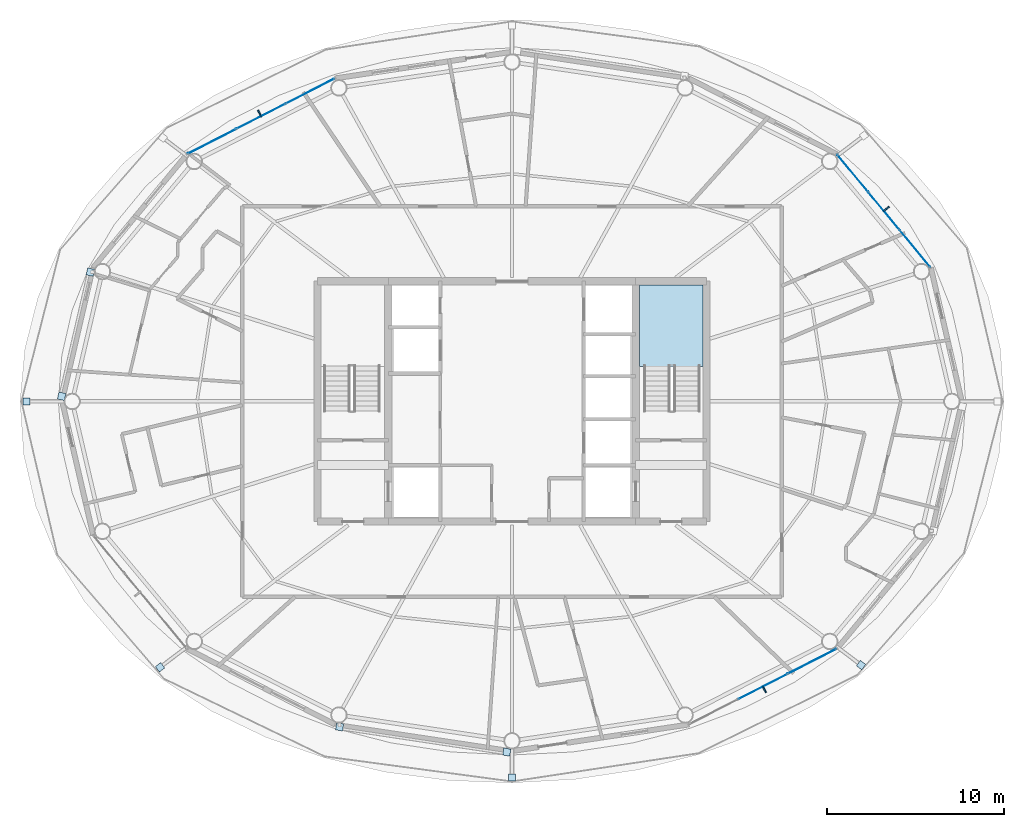
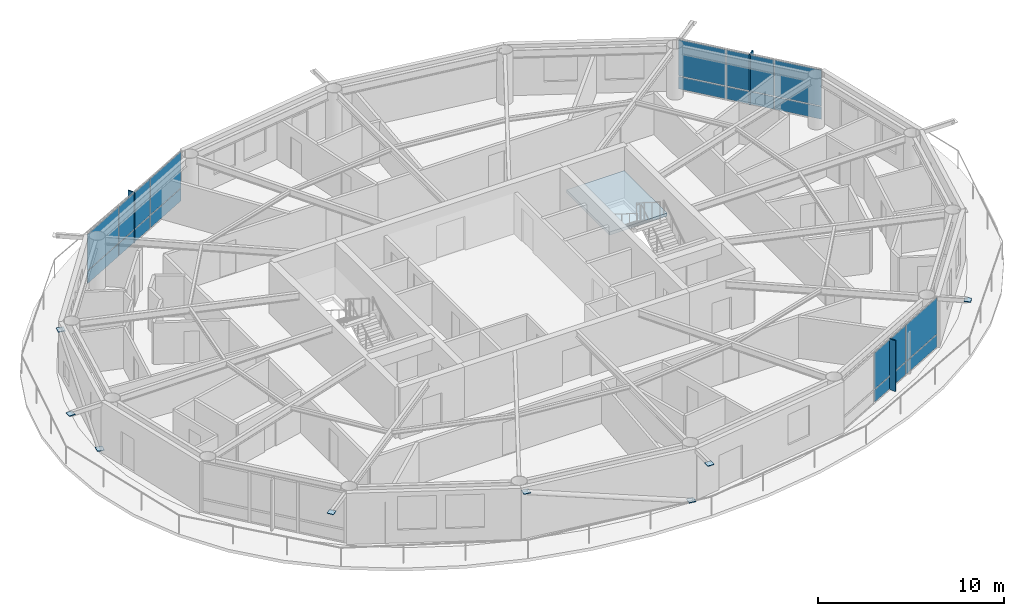
# One storey, part 14 of 22: 27 plates, 1 slab, 4 elements without a shape of their own.
"""IFC4 building model written with IfcOpenShell, lengths in metres."""

from ifc_helpers import new_model, si_unit, direction, frame, origin, origin_2d, place, context, subcontext, project, spatial, polyline, rectangle, outline, extrude, material, layer, layer_set, type_object, element, aggregate, save


model = new_model("IFC4")

# Units and contexts
model_context = context("Model", 3, precision=1e-05, world=origin(), true_north=direction((0.0, 1.0)))
body_context = subcontext(model_context, "Body", "Model", "MODEL_VIEW")
ifc_project = project(units=[si_unit("LENGTHUNIT", "METRE"), si_unit("AREAUNIT", "SQUARE_METRE"), si_unit("VOLUMEUNIT", "CUBIC_METRE"), si_unit("PLANEANGLEUNIT", "RADIAN"), si_unit("MASSUNIT", "GRAM", prefix="KILO")], contexts=[model_context])

# Site, building, storey
site_placement = place(None, origin())
site = spatial("IfcSite", under=ifc_project, at=site_placement, CompositionType="ELEMENT")
building_placement = place(site_placement, origin())
building = spatial("IfcBuilding", under=site, at=building_placement, Name="Sarneth Arch Tower", CompositionType="ELEMENT")
storey_placement = place(building_placement, frame((0.0, 0.0, 210.0)))
storey = spatial("IfcBuildingStorey", under=building, at=storey_placement, Name="L53", CompositionType="ELEMENT", Elevation=210.0)

# Curtain wall, plates
ifc_material_1 = material(Name="Anodised aluminium Type AA25 and solar-control low-e laminated IGU", Category="aluminium")
ifc_layer_1 = layer(ifc_material_1, 0.179931640625)
ifc_layer_set_1 = layer_set([ifc_layer_1], Name="Anodised aluminium Type AA25 and solar-control low-e laminated IGU")
curtain_wall_type = type_object("IfcCurtainWallType", Name="CW-RES-HIGH", PredefinedType="NOTDEFINED", material=ifc_layer_set_1)
curtain_wall_1_placement = place(storey_placement, origin())
curtain_wall_1 = element("IfcCurtainWall", 1, at=curtain_wall_1_placement, inside=storey, type_object=curtain_wall_type, Name="L53 Unitised curtain wall facet 02", PredefinedType="NOTDEFINED")
ifc_material_2 = material(Name="Solar-control low-e laminated IGU", Category="glass")
ifc_layer_2 = layer(ifc_material_2, 0.028076171875)
ifc_layer_set_2 = layer_set([ifc_layer_2], Name="Solar-control low-e laminated IGU")
plate_type_1 = type_object("IfcPlateType", Name="CW-PANEL", PredefinedType="CURTAIN_PANEL", material=ifc_layer_set_2)
plate_1_placement = place(storey_placement, frame((70.799072265625, 50.650634765625, 0.06005859375), z_axis=(0.0, 0.0, 1.0), x_axis=(-0.637610094184, 0.770359245933, 0.0)))
plate_1 = element("IfcPlate", 2, at=plate_1_placement, type_object=plate_type_1, Name="Curtain wall glazed vision pane CW-L53-F02/P00-00", PredefinedType="CURTAIN_PANEL", context=body_context, shape_type="SweptSolid", body=[
    extrude(rectangle(XDim=2.686767578125, YDim=0.028076171875, at=origin_2d()), origin(), (0.0, 0.0, 1.0), 0.81005859375),
])
plate_2_placement = place(storey_placement, frame((70.799072265625, 50.650634765625, 0.929931640625), z_axis=(0.0, 0.0, 1.0), x_axis=(-0.637610094184, 0.770359245933, 0.0)))
plate_2 = element("IfcPlate", 3, at=plate_2_placement, type_object=plate_type_1, Name="Curtain wall glazed vision pane CW-L53-F02/P00-01", PredefinedType="CURTAIN_PANEL", context=body_context, shape_type="SweptSolid", body=[
    extrude(rectangle(XDim=2.686767578125, YDim=0.028076171875, at=origin_2d()), origin(), (0.0, 0.0, 1.0), 2.3701171875),
])
plate_3_placement = place(storey_placement, frame((69.0380859375, 52.778076171875, 0.06005859375), z_axis=(0.0, 0.0, 1.0), x_axis=(-0.637610094184, 0.770359245933, 0.0)))
plate_3 = element("IfcPlate", 4, at=plate_3_placement, type_object=plate_type_1, Name="Curtain wall glazed vision pane CW-L53-F02/P01-00", PredefinedType="CURTAIN_PANEL", context=body_context, shape_type="SweptSolid", body=[
    extrude(rectangle(XDim=2.716552734375, YDim=0.028076171875, at=origin_2d()), origin(), (0.0, 0.0, 1.0), 0.81005859375),
])
plate_4_placement = place(storey_placement, frame((69.0380859375, 52.778076171875, 0.929931640625), z_axis=(0.0, 0.0, 1.0), x_axis=(-0.637610094184, 0.770359245933, 0.0)))
plate_4 = element("IfcPlate", 5, at=plate_4_placement, type_object=plate_type_1, Name="Curtain wall glazed vision pane CW-L53-F02/P01-01", PredefinedType="CURTAIN_PANEL", context=body_context, shape_type="SweptSolid", body=[
    extrude(rectangle(XDim=2.716552734375, YDim=0.028076171875, at=origin_2d()), origin(), (0.0, 0.0, 1.0), 2.3701171875),
])
plate_5_placement = place(storey_placement, frame((67.27734375, 54.905517578125, 0.06005859375), z_axis=(0.0, 0.0, 1.0), x_axis=(-0.637610094184, 0.770359245933, 0.0)))
plate_5 = element("IfcPlate", 6, at=plate_5_placement, type_object=plate_type_1, Name="Curtain wall glazed vision pane CW-L53-F02/P02-00", PredefinedType="CURTAIN_PANEL", context=body_context, shape_type="SweptSolid", body=[
    extrude(rectangle(XDim=2.686767578125, YDim=0.028076171875, at=origin_2d()), origin(), (0.0, 0.0, 1.0), 0.81005859375),
])
plate_6_placement = place(storey_placement, frame((67.27734375, 54.905517578125, 0.929931640625), z_axis=(0.0, 0.0, 1.0), x_axis=(-0.637610094184, 0.770359245933, 0.0)))
plate_6 = element("IfcPlate", 7, at=plate_6_placement, type_object=plate_type_1, Name="Curtain wall glazed vision pane CW-L53-F02/P02-01", PredefinedType="CURTAIN_PANEL", context=body_context, shape_type="SweptSolid", body=[
    extrude(rectangle(XDim=2.686767578125, YDim=0.028076171875, at=origin_2d()), origin(), (0.0, 0.0, 1.0), 2.3701171875),
])
aggregate(curtain_wall_1, [plate_1, plate_2, plate_3, plate_4, plate_5, plate_6])

curtain_wall_2_placement = place(storey_placement, origin())
curtain_wall_2 = element("IfcCurtainWall", 8, at=curtain_wall_2_placement, inside=storey, type_object=curtain_wall_type, Name="L53 Unitised curtain wall facet 06", PredefinedType="NOTDEFINED")
plate_7_placement = place(storey_placement, frame((36.5791015625, 59.552978515625, 0.06005859375), z_axis=(0.0, 0.0, 1.0), x_axis=(-0.890009540525, -0.455941901753, 0.0)))
plate_7 = element("IfcPlate", 9, at=plate_7_placement, type_object=plate_type_1, Name="Curtain wall glazed vision pane CW-L53-F06/P00-00", PredefinedType="CURTAIN_PANEL", context=body_context, shape_type="SweptSolid", body=[
    extrude(rectangle(XDim=3.044677734375, YDim=0.028076171875, at=origin_2d()), origin(), (0.0, 0.0, 1.0), 0.81005859375),
])
plate_8_placement = place(storey_placement, frame((36.5791015625, 59.552978515625, 0.929931640625), z_axis=(0.0, 0.0, 1.0), x_axis=(-0.890009540525, -0.455941901753, 0.0)))
plate_8 = element("IfcPlate", 10, at=plate_8_placement, type_object=plate_type_1, Name="Curtain wall glazed vision pane CW-L53-F06/P00-01", PredefinedType="CURTAIN_PANEL", context=body_context, shape_type="SweptSolid", body=[
    extrude(rectangle(XDim=3.044677734375, YDim=0.028076171875, at=origin_2d()), origin(), (0.0, 0.0, 1.0), 2.3701171875),
])
plate_9_placement = place(storey_placement, frame((33.802490234375, 58.13037109375, 0.06005859375), z_axis=(0.0, 0.0, 1.0), x_axis=(-0.890009540525, -0.455941901753, 0.0)))
plate_9 = element("IfcPlate", 11, at=plate_9_placement, type_object=plate_type_1, Name="Curtain wall glazed vision pane CW-L53-F06/P01-00", PredefinedType="CURTAIN_PANEL", context=body_context, shape_type="SweptSolid", body=[
    extrude(rectangle(XDim=3.07470703125, YDim=0.028076171875, at=origin_2d()), origin(), (0.0, 0.0, 1.0), 0.81005859375),
])
plate_10_placement = place(storey_placement, frame((33.802490234375, 58.13037109375, 0.929931640625), z_axis=(0.0, 0.0, 1.0), x_axis=(-0.890009540525, -0.455941901753, 0.0)))
plate_10 = element("IfcPlate", 12, at=plate_10_placement, type_object=plate_type_1, Name="Curtain wall glazed vision pane CW-L53-F06/P01-01", PredefinedType="CURTAIN_PANEL", context=body_context, shape_type="SweptSolid", body=[
    extrude(rectangle(XDim=3.07470703125, YDim=0.028076171875, at=origin_2d()), origin(), (0.0, 0.0, 1.0), 2.3701171875),
])
plate_11_placement = place(storey_placement, frame((31.02587890625, 56.7080078125, 0.06005859375), z_axis=(0.0, 0.0, 1.0), x_axis=(-0.890009540525, -0.455941901753, 0.0)))
plate_11 = element("IfcPlate", 13, at=plate_11_placement, type_object=plate_type_1, Name="Curtain wall glazed vision pane CW-L53-F06/P02-00", PredefinedType="CURTAIN_PANEL", context=body_context, shape_type="SweptSolid", body=[
    extrude(rectangle(XDim=3.044677734375, YDim=0.028076171875, at=origin_2d()), origin(), (0.0, 0.0, 1.0), 0.81005859375),
])
plate_12_placement = place(storey_placement, frame((31.02587890625, 56.7080078125, 0.929931640625), z_axis=(0.0, 0.0, 1.0), x_axis=(-0.890009540525, -0.455941901753, 0.0)))
plate_12 = element("IfcPlate", 14, at=plate_12_placement, type_object=plate_type_1, Name="Curtain wall glazed vision pane CW-L53-F06/P02-01", PredefinedType="CURTAIN_PANEL", context=body_context, shape_type="SweptSolid", body=[
    extrude(rectangle(XDim=3.044677734375, YDim=0.028076171875, at=origin_2d()), origin(), (0.0, 0.0, 1.0), 2.3701171875),
])
aggregate(curtain_wall_2, [plate_7, plate_8, plate_9, plate_10, plate_11, plate_12])

curtain_wall_3_placement = place(storey_placement, origin())
curtain_wall_3 = element("IfcCurtainWall", 15, at=curtain_wall_3_placement, inside=storey, type_object=curtain_wall_type, Name="L53 Unitised curtain wall facet 14", PredefinedType="NOTDEFINED")
plate_13_placement = place(storey_placement, frame((62.197509765625, 25.86962890625, 0.06005859375), z_axis=(0.0, 0.0, 1.0), x_axis=(0.890009540525, 0.455941901753, 0.0)))
plate_13 = element("IfcPlate", 16, at=plate_13_placement, type_object=plate_type_1, Name="Curtain wall glazed vision pane CW-L53-F14/P01-00", PredefinedType="CURTAIN_PANEL", context=body_context, shape_type="SweptSolid", body=[
    extrude(rectangle(XDim=3.07470703125, YDim=0.028076171875, at=origin_2d()), origin(), (0.0, 0.0, 1.0), 0.81005859375),
])
plate_14_placement = place(storey_placement, frame((62.197509765625, 25.86962890625, 0.929931640625), z_axis=(0.0, 0.0, 1.0), x_axis=(0.890009540525, 0.455941901753, 0.0)))
plate_14 = element("IfcPlate", 17, at=plate_14_placement, type_object=plate_type_1, Name="Curtain wall glazed vision pane CW-L53-F14/P01-01", PredefinedType="CURTAIN_PANEL", context=body_context, shape_type="SweptSolid", body=[
    extrude(rectangle(XDim=3.07470703125, YDim=0.028076171875, at=origin_2d()), origin(), (0.0, 0.0, 1.0), 2.3701171875),
])
plate_15_placement = place(storey_placement, frame((64.97412109375, 27.2919921875, 0.06005859375), z_axis=(0.0, 0.0, 1.0), x_axis=(0.890009540525, 0.455941901753, 0.0)))
plate_15 = element("IfcPlate", 18, at=plate_15_placement, type_object=plate_type_1, Name="Curtain wall glazed vision pane CW-L53-F14/P02-00", PredefinedType="CURTAIN_PANEL", context=body_context, shape_type="SweptSolid", body=[
    extrude(rectangle(XDim=3.044677734375, YDim=0.028076171875, at=origin_2d()), origin(), (0.0, 0.0, 1.0), 0.81005859375),
])
plate_16_placement = place(storey_placement, frame((64.97412109375, 27.2919921875, 0.929931640625), z_axis=(0.0, 0.0, 1.0), x_axis=(0.890009540525, 0.455941901753, 0.0)))
plate_16 = element("IfcPlate", 19, at=plate_16_placement, type_object=plate_type_1, Name="Curtain wall glazed vision pane CW-L53-F14/P02-01", PredefinedType="CURTAIN_PANEL", context=body_context, shape_type="SweptSolid", body=[
    extrude(rectangle(XDim=3.044677734375, YDim=0.028076171875, at=origin_2d()), origin(), (0.0, 0.0, 1.0), 2.3701171875),
])
aggregate(curtain_wall_3, [plate_13, plate_14, plate_15, plate_16])

# Plates
ifc_material_3 = material(Name="Steel S355", Category="steel")
ifc_layer_3 = layer(ifc_material_3, 0.035888671875)
ifc_layer_set_3 = layer_set([ifc_layer_3], Name="Steel S355")
plate_type_2 = type_object("IfcPlateType", Name="PLT-GUSSET-30", PredefinedType="SHEET", material=ifc_layer_set_3)
for number, where, z_axis, x_axis, name in (
    (20, (22.5234375, 42.292236328125, 0.001953125), (0.0, 0.0, 1.0), (-0.225461202458, -0.974252147129, 0.0), "Steel end cap plate GP-1"),
    (21, (24.148193359375, 49.3154296875, 3.0185546875), (0.0, 0.0, 1.0), (-0.225461202458, -0.974252147129, 0.0), "Steel end cap plate GP-1"),
):
    element("IfcPlate", number, at=place(storey_placement, frame(where, z_axis=z_axis, x_axis=x_axis)), inside=storey, type_object=plate_type_2, Name=name, PredefinedType="SHEET", context=body_context, shape_type="SweptSolid", body=[
        extrude(rectangle(XDim=0.404052734375, YDim=0.404052734375, at=origin_2d()), origin(), (0.0, 0.0, 1.0), 0.035888671875),
    ])
for number, where, z_axis, x_axis, name in (
    (22, (20.536865234375, 42.0, 3.18212890625), (0.0, 0.0, 1.0), (-1.0, 0.0, 0.0), "Steel end cap plate GP-1"),
    (23, (28.08740234375, 26.960205078125, 3.18212890625), (0.0, 0.0, 1.0), (-0.798004853043, -0.602651022168, 0.0), "Steel end cap plate GP-1"),
):
    element("IfcPlate", number, at=place(storey_placement, frame(where, z_axis=z_axis, x_axis=x_axis)), inside=storey, type_object=plate_type_2, Name=name, PredefinedType="SHEET", context=body_context, shape_type="SweptSolid", body=[
        extrude(rectangle(XDim=0.3798828125, YDim=0.3798828125, at=origin_2d()), origin(), (0.0, 0.0, 1.0), 0.035888671875),
    ])
for number, where, z_axis, x_axis, name in (
    (24, (47.703369140625, 22.16455078125, 0.001953125), (0.0, 0.0, 1.0), (0.988860535448, -0.148845024885, 0.0), "Steel end cap plate GP-1"),
    (25, (38.245849609375, 23.588623046875, 3.0185546875), (0.0, 0.0, 1.0), (0.988860535448, -0.148845024885, 0.0), "Steel end cap plate GP-1"),
):
    element("IfcPlate", number, at=place(storey_placement, frame(where, z_axis=z_axis, x_axis=x_axis)), inside=storey, type_object=plate_type_2, Name=name, PredefinedType="SHEET", context=body_context, shape_type="SweptSolid", body=[
        extrude(rectangle(XDim=0.404052734375, YDim=0.404052734375, at=origin_2d()), origin(), (0.0, 0.0, 1.0), 0.035888671875),
    ])
for number, where, z_axis, x_axis, name in (
    (26, (48.0, 20.72998046875, 3.18212890625), (0.0, 0.0, 1.0), (0.0, -1.0, 0.0), "Steel end cap plate GP-1"),
    (27, (67.748291015625, 27.08447265625, 3.18212890625), (0.0, 0.0, 1.0), (0.798004853043, -0.602651022168, 0.0), "Steel end cap plate GP-1"),
):
    element("IfcPlate", number, at=place(storey_placement, frame(where, z_axis=z_axis, x_axis=x_axis)), inside=storey, type_object=plate_type_2, Name=name, PredefinedType="SHEET", context=body_context, shape_type="SweptSolid", body=[
        extrude(rectangle(XDim=0.3798828125, YDim=0.3798828125, at=origin_2d()), origin(), (0.0, 0.0, 1.0), 0.035888671875),
    ])
ifc_material_4 = material(Name="Extruded glazed terracotta baguette fin on Aluminium 6063-T6 carrier", Category="masonry")
ifc_layer_4 = layer(ifc_material_4, 0.080078125)
ifc_layer_set_4 = layer_set([ifc_layer_4], Name="Extruded glazed terracotta baguette fin on Aluminium 6063-T6 carrier")
plate_type_3 = type_object("IfcPlateType", Name="SHADE-TERRA-FIN", PredefinedType="SHEET", material=ifc_layer_set_4)
for number, where, z_axis, x_axis, name in (
    (28, (69.169189453125, 52.886474609375, 0.009765625), (0.0, 0.0, 1.0), (0.770401979567, 0.63755845997, 0.0), "L53 Terracotta vertical shading fin 02"),
    (29, (33.724853515625, 58.28173828125, 0.009765625), (0.0, 0.0, 1.0), (-0.456010959102, 0.889974159838, 0.0), "L53 Terracotta vertical shading fin 06"),
    (30, (62.275146484375, 25.71826171875, 0.009765625), (0.0, 0.0, 1.0), (0.456010959102, -0.889974159838, 0.0), "L53 Terracotta vertical shading fin 14"),
):
    element("IfcPlate", number, at=place(storey_placement, frame(where, z_axis=z_axis, x_axis=x_axis)), inside=storey, type_object=plate_type_3, Name=name, PredefinedType="SHEET", context=body_context, shape_type="SweptSolid", body=[
        extrude(rectangle(XDim=0.419921875, YDim=0.080078125, at=origin_2d()), origin(), (0.0, 0.0, 1.0), 3.340087890625),
    ])

# Stair, slab
ifc_material_5 = material(Name="Concrete C50/60", Category="concrete")
stair_type = type_object("IfcStairType", Name="STAIR-CORE-RC", PredefinedType="HALF_TURN_STAIR", material=ifc_material_5)
stair_placement = place(storey_placement, origin())
stair = element("IfcStair", 31, at=stair_placement, inside=storey, type_object=stair_type, Name="L53 Core Exit Stair 2", PredefinedType="HALF_TURN_STAIR")
ifc_material_6 = material(Name="Concrete C50/60", Category="concrete")
ifc_layer_5 = layer(ifc_material_6, 0.199951171875)
ifc_layer_set_5 = layer_set([ifc_layer_5], Name="Concrete C50/60")
slab_type = type_object("IfcSlabType", Name="SLAB-LANDING-200", PredefinedType="LANDING", material=ifc_layer_set_5)
slab_placement = place(storey_placement, frame((0.0, 0.0, 1.60009765625)))
slab = element("IfcSlab", 32, at=slab_placement, type_object=slab_type, Name="ST-2 landing 1", PredefinedType="LANDING", context=body_context, shape_type="SweptSolid", body=[
    extrude(outline(polyline([(55.199951171875, 43.985107421875), (58.800048828125, 43.985107421875), (58.800048828125, 48.60009765625), (55.199951171875, 48.60009765625), (55.199951171875, 43.985107421875)])), origin(), (0.0, 0.0, 1.0), 0.199951171875),
])
aggregate(stair, [slab])

save(model, "model.ifc")
